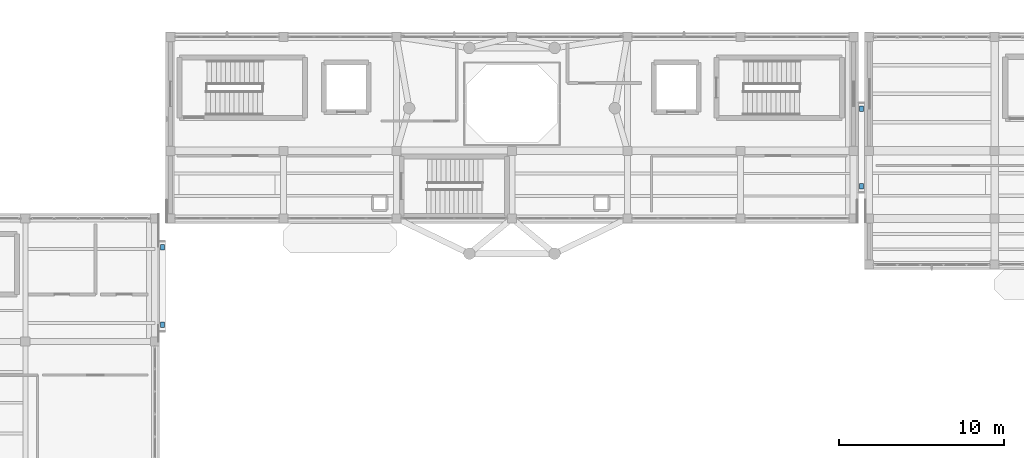
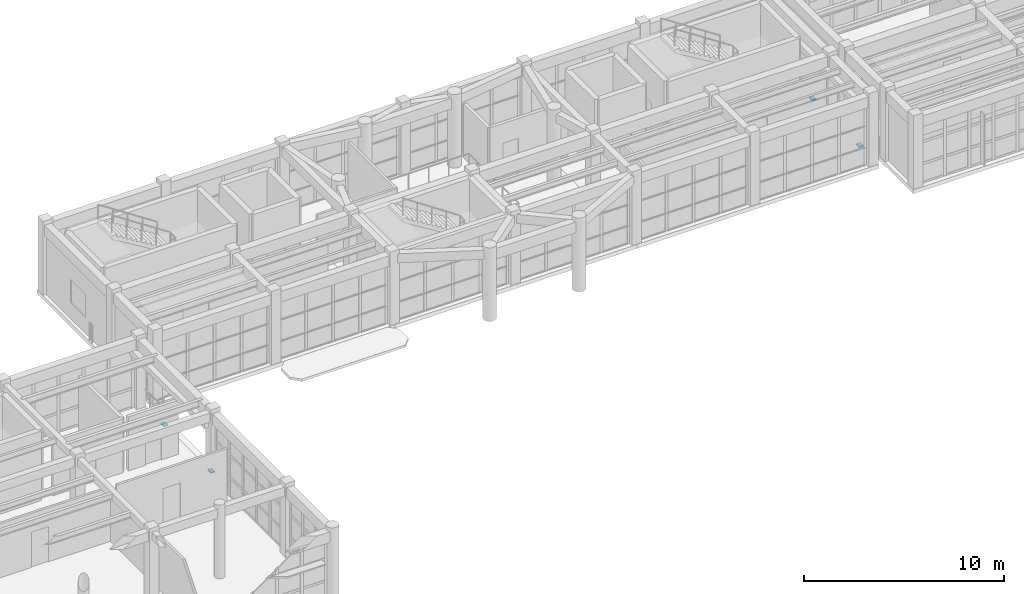
# One storey, part 75 of 85: 4 discrete accessories.
"""IFC4 building model written with IfcOpenShell, lengths in metres."""

from ifc_helpers import new_model, si_unit, direction, frame, origin, origin_2d, place, context, subcontext, project, spatial, rectangle, extrude, material, type_object, element, save


model = new_model("IFC4")

# Units and contexts
model_context = context("Model", 3, precision=1e-05, world=origin(), true_north=direction((0.0, 1.0)))
body_context = subcontext(model_context, "Body", "Model", "MODEL_VIEW")
ifc_project = project(units=[si_unit("LENGTHUNIT", "METRE"), si_unit("AREAUNIT", "SQUARE_METRE"), si_unit("VOLUMEUNIT", "CUBIC_METRE"), si_unit("PLANEANGLEUNIT", "RADIAN"), si_unit("MASSUNIT", "GRAM", prefix="KILO")], contexts=[model_context])

# Site, building, storey
site_placement = place(None, origin())
site = spatial("IfcSite", under=ifc_project, at=site_placement, CompositionType="ELEMENT")
building_placement = place(site_placement, origin())
building = spatial("IfcBuilding", under=site, at=building_placement, Name="Candilejo Ridge Gondola Terminal", CompositionType="ELEMENT")
storey_placement = place(building_placement, frame((0.0, 0.0, 4.5)))
storey = spatial("IfcBuildingStorey", under=building, at=storey_placement, Name="L01", CompositionType="ELEMENT", Elevation=4.5)

# Discrete accessories
ifc_material = material(Name="Steel ASTM A572 Grade 50", Category="steel")
discrete_accessory_type = type_object("IfcDiscreteAccessoryType", Name="STR-PTFE-SLIDING-BEARING", PredefinedType="BRACKET", material=ifc_material)
for number, where, name in (
    (1, (44.175048828125, 19.25, -0.280029296875), "PTFE sliding bridge bearing BRK-LB-SJ1-L01-1"),
    (2, (44.175048828125, 23.949951171875, -0.280029296875), "PTFE sliding bridge bearing BRK-LB-SJ1-L01-2"),
    (3, (86.52490234375, 27.64990234375, -0.280029296875), "PTFE sliding bridge bearing BRK-LB-SJ2-L01-1"),
    (4, (86.52490234375, 32.35009765625, -0.280029296875), "PTFE sliding bridge bearing BRK-LB-SJ2-L01-2"),
):
    element("IfcDiscreteAccessory", number, at=place(storey_placement, frame(where)), inside=storey, type_object=discrete_accessory_type, Name=name, PredefinedType="BRACKET", context=body_context, shape_type="SweptSolid", body=[
        extrude(rectangle(XDim=0.25, YDim=0.320068359375, at=origin_2d()), origin(), (0.0, 0.0, 1.0), 0.06005859375),
    ])

save(model, "model.ifc")
